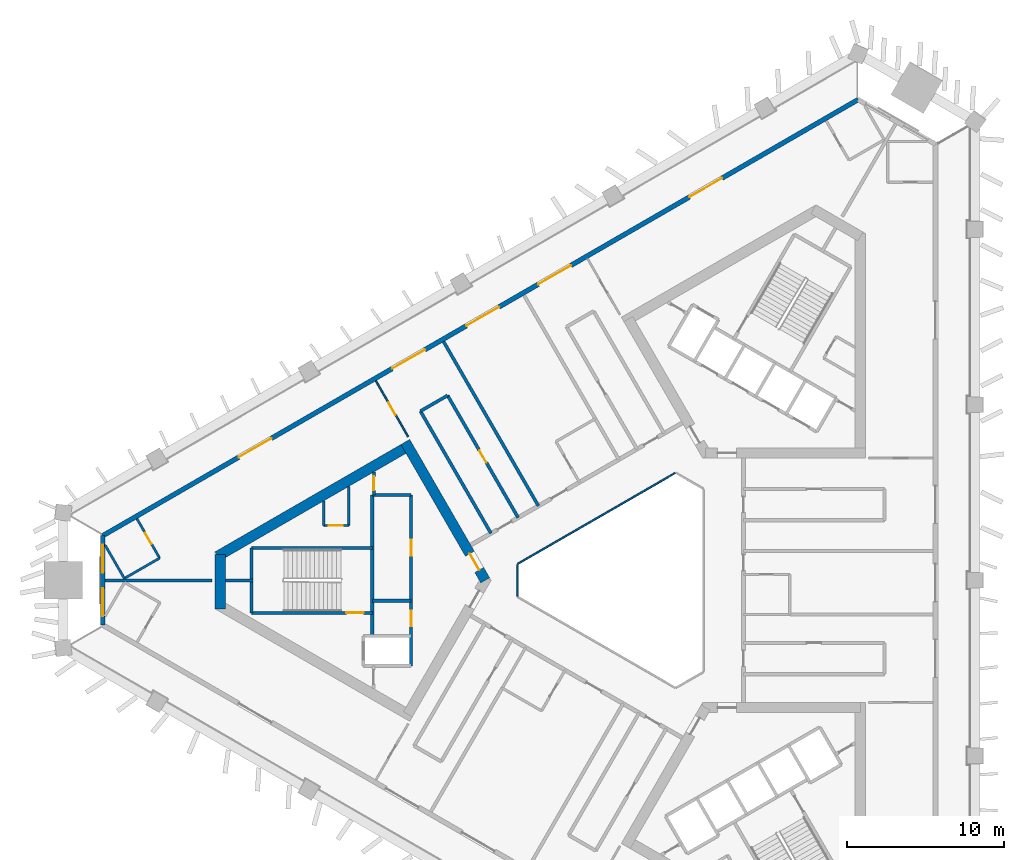
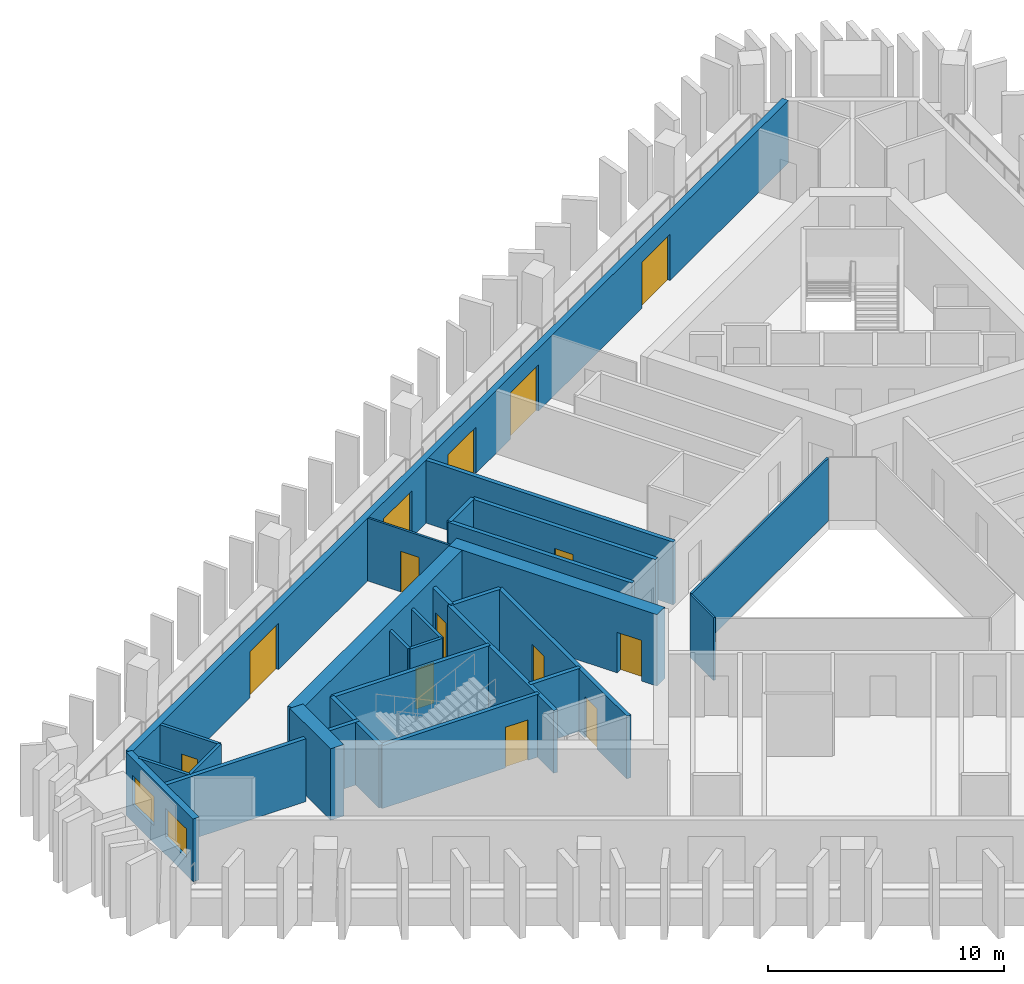
# One storey, part 4 of 10: 28 walls, 14 doors, 2 windows, 16 openings.
"""IFC4 building model written with IfcOpenShell, lengths in metres."""

from ifc_helpers import new_model, si_unit, direction, frame, frame_2d, origin, place, context, subcontext, project, spatial, rectangle, extrude, material, layer, layer_set, type_object, element, fill, save


model = new_model("IFC4")

# Units and contexts
model_context = context("Model", 3, precision=1e-05, world=origin(), true_north=direction((0.0, 1.0)))
body_context = subcontext(model_context, "Body", "Model", "MODEL_VIEW")
ifc_project = project(units=[si_unit("LENGTHUNIT", "METRE"), si_unit("AREAUNIT", "SQUARE_METRE"), si_unit("VOLUMEUNIT", "CUBIC_METRE"), si_unit("PLANEANGLEUNIT", "RADIAN"), si_unit("MASSUNIT", "GRAM", prefix="KILO")], contexts=[model_context])

# Site, building, storey
site_placement = place(None, origin())
site = spatial("IfcSite", under=ifc_project, at=site_placement, CompositionType="ELEMENT")
building_placement = place(site_placement, origin())
building = spatial("IfcBuilding", under=site, at=building_placement, Name="Jabali Bay Hotel Tower and Convention Centre", CompositionType="ELEMENT")
storey_placement = place(building_placement, frame((0.0, 0.0, 136.39990234375)))
storey = spatial("IfcBuildingStorey", under=building, at=storey_placement, Name="L33", CompositionType="ELEMENT", Elevation=136.39990234375)

# Walls
ifc_material_1 = material(Name="Fire-resistant glazing", Category="glass")
ifc_layer_1 = layer(ifc_material_1, 0.10009765625)
ifc_layer_set_1 = layer_set([ifc_layer_1], Name="Fire-resistant glazing")
wall_type_1 = type_object("IfcWallType", Name="Atrium glazed screen 100", PredefinedType="PARTITIONING", material=ifc_layer_set_1)
wall_1_placement = place(storey_placement, frame((77.738037109375, 86.84619140625, 0.0), z_axis=(0.0, 0.0, 1.0), x_axis=(-0.866026658274, -0.499997827154, 0.0)))
element("IfcWall", 1, at=wall_1_placement, inside=storey, type_object=wall_type_1, Name="Atrium screen 3 L33", PredefinedType="PARTITIONING", context=body_context, shape_type="SweptSolid", body=[
    extrude(rectangle(XDim=11.58837890625, YDim=0.10009765625, at=frame_2d((5.794189453125, 0.0))), origin(), (0.0, 0.0, 1.0), 3.25),
])
wall_2_placement = place(storey_placement, frame((67.672119140625, 81.0, 0.0), z_axis=(0.0, 0.0, 1.0), x_axis=(0.0, -1.0, 0.0)))
element("IfcWall", 2, at=wall_2_placement, inside=storey, type_object=wall_type_1, Name="Atrium screen 4 L33", PredefinedType="PARTITIONING", context=body_context, shape_type="SweptSolid", body=[
    extrude(rectangle(XDim=2.0, YDim=0.10009765625, at=frame_2d((1.0, 0.0))), origin(), (0.0, 0.0, 1.0), 3.25),
])
ifc_material_2 = material(Name="Concrete C40", Category="concrete")
ifc_layer_2 = layer(ifc_material_2, 0.199951171875)
ifc_layer_set_2 = layer_set([ifc_layer_2], Name="Concrete C40")
wall_type_2 = type_object("IfcWallType", Name="Core partition wall 200", PredefinedType="PARTITIONING", material=ifc_layer_set_2)
wall_3_placement = place(storey_placement, frame((50.820068359375, 80.0, 0.0), z_axis=(0.0, 0.0, 1.0), x_axis=(-1.0, 0.0, 0.0)))
element("IfcWall", 3, at=wall_3_placement, inside=storey, type_object=wall_type_2, Name="Core wall 0.3 L33", PredefinedType="PARTITIONING", context=body_context, shape_type="SweptSolid", body=[
    extrude(rectangle(XDim=1.773193359375, YDim=0.199951171875, at=frame_2d((0.88671875, 0.0))), origin(), (0.0, 0.0, 1.0), 3.25),
])

# Wall, opening, door
wall_4_placement = place(storey_placement, frame((58.52001953125, 86.916748046875, 0.0), z_axis=(0.0, 0.0, 1.0), x_axis=(0.0, -1.0, 0.0)))
wall_4 = element("IfcWall", 4, at=wall_4_placement, inside=storey, type_object=wall_type_2, Name="Core wall 0.9 L33", PredefinedType="PARTITIONING", context=body_context, shape_type="SweptSolid", body=[
    extrude(rectangle(XDim=1.466796875, YDim=0.199951171875, at=frame_2d((0.7333984375, 0.0))), origin(), (0.0, 0.0, 1.0), 3.25),
])
opening_1_placement = place(wall_4_placement, frame((0.283447265625, 0.0, 0.0)))
opening_1 = element("IfcOpeningElement", 5, at=opening_1_placement, cuts=wall_4, Name="Opening D727", PredefinedType="OPENING", context=body_context, shape_type="SweptSolid", body=[
    extrude(rectangle(XDim=0.89990234375, YDim=2.10009765625, at=frame_2d((0.449951171875, 1.050048828125))), frame((0.0, 0.1103515625, 0.0), z_axis=(0.0, -1.0, 0.0), x_axis=(1.0, 0.0, 0.0)), (0.0, 0.0, 1.0), 0.220947265625),
])
ifc_material_3 = material(Name="Fire-rated steel door", Category="steel")
door_type_1 = type_object("IfcDoorType", Name="Vestibule fire door 900 x 2100", OperationType="NOTDEFINED", PredefinedType="NOTDEFINED", material=ifc_material_3)
door_1_placement = place(opening_1_placement, origin())
door_1 = element("IfcDoor", 6, at=door_1_placement, inside=storey, type_object=door_type_1, Name="Vestibule fire door D727", OperationType="SINGLE_SWING_LEFT", OverallHeight=2.10009765625, OverallWidth=0.89990234375, PredefinedType="NOTDEFINED", context=body_context, shape_type="SweptSolid", body=[
    extrude(rectangle(XDim=0.89990234375, YDim=2.10009765625, at=frame_2d((0.449951171875, 1.050048828125))), frame((0.0, 0.02490234375, 0.0), z_axis=(0.0, -1.0, 0.0), x_axis=(1.0, 0.0, 0.0)), (0.0, 0.0, 1.0), 0.050048828125),
])
fill(opening_1, door_1)

ifc_material_4 = material(Name="Fire-rated board partition")
ifc_layer_3 = layer(ifc_material_4, 0.14990234375)
ifc_layer_set_3 = layer_set([ifc_layer_3], Name="Fire-rated board partition")
wall_type_3 = type_object("IfcWallType", Name="Core room partition 150", PredefinedType="PARTITIONING", material=ifc_layer_set_3)
wall_5_placement = place(storey_placement, frame((56.919921875, 83.5, 0.0), z_axis=(0.0, 0.0, 1.0), x_axis=(-1.0, 0.0, 0.0)))
wall_5 = element("IfcWall", 7, at=wall_5_placement, inside=storey, type_object=wall_type_3, Name="Core wall 0.1 L33", PredefinedType="PARTITIONING", context=body_context, shape_type="SweptSolid", body=[
    extrude(rectangle(XDim=1.599853515625, YDim=0.14990234375, at=frame_2d((0.7998046875, 0.0))), origin(), (0.0, 0.0, 1.0), 3.25),
])
opening_2_placement = place(wall_5_placement, frame((0.387451171875, 0.0, 0.0)))
opening_2 = element("IfcOpeningElement", 8, at=opening_2_placement, cuts=wall_5, Name="Opening D729", PredefinedType="OPENING", context=body_context, shape_type="SweptSolid", body=[
    extrude(rectangle(XDim=0.89990234375, YDim=2.10009765625, at=frame_2d((0.449951171875, 1.050048828125))), frame((0.0, 0.08544921875, 0.0), z_axis=(0.0, -1.0, 0.0), x_axis=(1.0, 0.0, 0.0)), (0.0, 0.0, 1.0), 0.1708984375),
])
door_type_2 = type_object("IfcDoorType", Name="Core room door 900 x 2100", OperationType="NOTDEFINED", PredefinedType="NOTDEFINED", material=ifc_material_3)
door_2_placement = place(opening_2_placement, origin())
door_2 = element("IfcDoor", 9, at=door_2_placement, inside=storey, type_object=door_type_2, Name="Core room door D729", OperationType="SINGLE_SWING_LEFT", OverallHeight=2.10009765625, OverallWidth=0.89990234375, PredefinedType="NOTDEFINED", context=body_context, shape_type="SweptSolid", body=[
    extrude(rectangle(XDim=0.89990234375, YDim=2.10009765625, at=frame_2d((0.449951171875, 1.050048828125))), frame((0.0, 0.02490234375, 0.0), z_axis=(0.0, -1.0, 0.0), x_axis=(1.0, 0.0, 0.0)), (0.0, 0.0, 1.0), 0.050048828125),
])
fill(opening_2, door_2)

# Walls
wall_6_placement = place(storey_placement, frame((56.919921875, 85.992919921875, 0.0), z_axis=(0.0, 0.0, 1.0), x_axis=(0.0, -1.0, 0.0)))
element("IfcWall", 10, at=wall_6_placement, inside=storey, type_object=wall_type_3, Name="Core wall 0.13 L33", PredefinedType="PARTITIONING", context=body_context, shape_type="SweptSolid", body=[
    extrude(rectangle(XDim=2.492919921875, YDim=0.14990234375, at=frame_2d((1.24658203125, 0.0))), origin(), (0.0, 0.0, 1.0), 3.25),
])
wall_7_placement = place(storey_placement, frame((55.320068359375, 85.069091796875, 0.0), z_axis=(0.0, 0.0, 1.0), x_axis=(0.0, -1.0, 0.0)))
element("IfcWall", 11, at=wall_7_placement, inside=storey, type_object=wall_type_3, Name="Core wall 0.14 L33", PredefinedType="PARTITIONING", context=body_context, shape_type="SweptSolid", body=[
    extrude(rectangle(XDim=1.569091796875, YDim=0.14990234375, at=frame_2d((0.78466796875, 0.0))), origin(), (0.0, 0.0, 1.0), 3.25),
])
ifc_layer_4 = layer(ifc_material_2, 0.199951171875)
ifc_layer_set_4 = layer_set([ifc_layer_4], Name="Concrete C40")
wall_type_4 = type_object("IfcWallType", Name="Core stair wall 200", PredefinedType="SOLIDWALL", material=ifc_layer_set_4)
wall_8_placement = place(storey_placement, frame((60.89990234375, 85.449951171875, 0.0), z_axis=(0.0, 0.0, 1.0), x_axis=(-1.0, 0.0, 0.0)))
element("IfcWall", 12, at=wall_8_placement, inside=storey, type_object=wall_type_4, Name="Core wall 0.0 L33", PredefinedType="SOLIDWALL", context=body_context, shape_type="SweptSolid", body=[
    extrude(rectangle(XDim=2.47998046875, YDim=0.199951171875, at=frame_2d((1.239990234375, 0.0))), origin(), (0.0, 0.0, 1.0), 3.25),
])
wall_9_placement = place(storey_placement, frame((58.419921875, 82.074951171875, 0.0), z_axis=(0.0, 0.0, 1.0), x_axis=(-1.0, 0.0, 0.0)))
element("IfcWall", 13, at=wall_9_placement, inside=storey, type_object=wall_type_4, Name="Core wall 0.2 L33", PredefinedType="SOLIDWALL", context=body_context, shape_type="SweptSolid", body=[
    extrude(rectangle(XDim=7.699951171875, YDim=0.199951171875, at=frame_2d((3.85009765625, 0.0))), origin(), (0.0, 0.0, 1.0), 3.25),
])
wall_10_placement = place(storey_placement, frame((60.89990234375, 78.699951171875, 0.0), z_axis=(0.0, 0.0, 1.0), x_axis=(-1.0, 0.0, 0.0)))
element("IfcWall", 14, at=wall_10_placement, inside=storey, type_object=wall_type_4, Name="Core wall 0.4 L33", PredefinedType="SOLIDWALL", context=body_context, shape_type="SweptSolid", body=[
    extrude(rectangle(XDim=2.47998046875, YDim=0.199951171875, at=frame_2d((1.239990234375, 0.0))), origin(), (0.0, 0.0, 1.0), 3.25),
])

# Wall, opening, door
wall_11_placement = place(storey_placement, frame((58.419921875, 77.925048828125, 0.0), z_axis=(0.0, 0.0, 1.0), x_axis=(-1.0, 0.0, 0.0)))
wall_11 = element("IfcWall", 15, at=wall_11_placement, inside=storey, type_object=wall_type_4, Name="Core wall 0.5 L33", PredefinedType="SOLIDWALL", context=body_context, shape_type="SweptSolid", body=[
    extrude(rectangle(XDim=7.699951171875, YDim=0.199951171875, at=frame_2d((3.85009765625, 0.0))), origin(), (0.0, 0.0, 1.0), 3.25),
])
opening_3_placement = place(wall_11_placement, frame((0.550048828125, 0.0, 0.0)))
opening_3 = element("IfcOpeningElement", 16, at=opening_3_placement, cuts=wall_11, Name="Opening D728", PredefinedType="OPENING", context=body_context, shape_type="SweptSolid", body=[
    extrude(rectangle(XDim=1.10009765625, YDim=2.10009765625, at=frame_2d((0.550048828125, 1.050048828125))), frame((0.0, 0.1103515625, 0.0), z_axis=(0.0, -1.0, 0.0), x_axis=(1.0, 0.0, 0.0)), (0.0, 0.0, 1.0), 0.220947265625),
])
door_type_3 = type_object("IfcDoorType", Name="Stair fire door 1100 x 2100", OperationType="NOTDEFINED", PredefinedType="NOTDEFINED", material=ifc_material_3)
door_3_placement = place(opening_3_placement, origin())
door_3 = element("IfcDoor", 17, at=door_3_placement, inside=storey, type_object=door_type_3, Name="Stair fire door D728", OperationType="SINGLE_SWING_RIGHT", OverallHeight=2.10009765625, OverallWidth=1.10009765625, PredefinedType="NOTDEFINED", context=body_context, shape_type="SweptSolid", body=[
    extrude(rectangle(XDim=1.10009765625, YDim=2.10009765625, at=frame_2d((0.550048828125, 1.050048828125))), frame((0.0, 0.02490234375, 0.0), z_axis=(0.0, -1.0, 0.0), x_axis=(1.0, 0.0, 0.0)), (0.0, 0.0, 1.0), 0.050048828125),
])
fill(opening_3, door_3)

# Wall, openings, doors
wall_12_placement = place(storey_placement, frame((60.89990234375, 85.449951171875, 0.0), z_axis=(0.0, 0.0, 1.0), x_axis=(0.0, -1.0, 0.0)))
wall_12 = element("IfcWall", 18, at=wall_12_placement, inside=storey, type_object=wall_type_4, Name="Core wall 0.8 L33", PredefinedType="SOLIDWALL", context=body_context, shape_type="SweptSolid", body=[
    extrude(rectangle(XDim=10.89990234375, YDim=0.199951171875, at=frame_2d((5.449951171875, 0.0))), origin(), (0.0, 0.0, 1.0), 3.25),
])
opening_4_placement = place(wall_12_placement, frame((2.875, 0.0, 0.0)))
opening_4 = element("IfcOpeningElement", 19, at=opening_4_placement, cuts=wall_12, Name="Opening D724", PredefinedType="OPENING", context=body_context, shape_type="SweptSolid", body=[
    extrude(rectangle(XDim=1.0, YDim=2.10009765625, at=frame_2d((0.5, 1.050048828125))), frame((0.0, 0.1103515625, 0.0), z_axis=(0.0, -1.0, 0.0), x_axis=(1.0, 0.0, 0.0)), (0.0, 0.0, 1.0), 0.220947265625),
])
opening_5_placement = place(wall_12_placement, frame((7.375, 0.0, 0.0)))
opening_5 = element("IfcOpeningElement", 20, at=opening_5_placement, cuts=wall_12, Name="Opening D725", PredefinedType="OPENING", context=body_context, shape_type="SweptSolid", body=[
    extrude(rectangle(XDim=1.0, YDim=2.10009765625, at=frame_2d((0.5, 1.050048828125))), frame((0.0, 0.1103515625, 0.0), z_axis=(0.0, -1.0, 0.0), x_axis=(1.0, 0.0, 0.0)), (0.0, 0.0, 1.0), 0.220947265625),
])
door_type_4 = type_object("IfcDoorType", Name="Core room door 1000 x 2100", OperationType="NOTDEFINED", PredefinedType="NOTDEFINED", material=ifc_material_3)
door_4_placement = place(opening_4_placement, origin())
door_4 = element("IfcDoor", 21, at=door_4_placement, inside=storey, type_object=door_type_4, Name="Core room door D724", OperationType="SINGLE_SWING_RIGHT", OverallHeight=2.10009765625, OverallWidth=1.0, PredefinedType="NOTDEFINED", context=body_context, shape_type="SweptSolid", body=[
    extrude(rectangle(XDim=1.0, YDim=2.10009765625, at=frame_2d((0.5, 1.050048828125))), frame((0.0, 0.02490234375, 0.0), z_axis=(0.0, -1.0, 0.0), x_axis=(1.0, 0.0, 0.0)), (0.0, 0.0, 1.0), 0.050048828125),
])
fill(opening_4, door_4)
door_5_placement = place(opening_5_placement, origin())
door_5 = element("IfcDoor", 22, at=door_5_placement, inside=storey, type_object=door_type_4, Name="Core room door D725", OperationType="SINGLE_SWING_RIGHT", OverallHeight=2.10009765625, OverallWidth=1.0, PredefinedType="NOTDEFINED", context=body_context, shape_type="SweptSolid", body=[
    extrude(rectangle(XDim=1.0, YDim=2.10009765625, at=frame_2d((0.5, 1.050048828125))), frame((0.0, 0.02490234375, 0.0), z_axis=(0.0, -1.0, 0.0), x_axis=(1.0, 0.0, 0.0)), (0.0, 0.0, 1.0), 0.050048828125),
])
fill(opening_5, door_5)

# Walls
wall_13_placement = place(storey_placement, frame((58.419921875, 85.449951171875, 0.0), z_axis=(0.0, 0.0, 1.0), x_axis=(0.0, -1.0, 0.0)))
element("IfcWall", 23, at=wall_13_placement, inside=storey, type_object=wall_type_4, Name="Core wall 0.11 L33", PredefinedType="SOLIDWALL", context=body_context, shape_type="SweptSolid", body=[
    extrude(rectangle(XDim=9.0, YDim=0.199951171875, at=frame_2d((4.5, 0.0))), origin(), (0.0, 0.0, 1.0), 3.25),
])
wall_14_placement = place(storey_placement, frame((50.719970703125, 82.074951171875, 0.0), z_axis=(0.0, 0.0, 1.0), x_axis=(0.0, -1.0, 0.0)))
element("IfcWall", 24, at=wall_14_placement, inside=storey, type_object=wall_type_4, Name="Core wall 0.15 L33", PredefinedType="SOLIDWALL", context=body_context, shape_type="SweptSolid", body=[
    extrude(rectangle(XDim=4.14990234375, YDim=0.199951171875, at=frame_2d((2.074951171875, 0.0))), origin(), (0.0, 0.0, 1.0), 3.25),
])

# Wall, opening, door
ifc_material_5 = material(Name="Concrete C60", Category="concrete")
ifc_layer_5 = layer(ifc_material_5, 0.64990234375)
ifc_layer_set_5 = layer_set([ifc_layer_5], Name="Concrete C60")
wall_type_5 = type_object("IfcWallType", Name="Core wall 650", PredefinedType="SHEAR", material=ifc_layer_set_5)
wall_15_placement = place(storey_placement, frame((65.624755859375, 80.0, 0.0), z_axis=(0.0, 0.0, 1.0), x_axis=(-0.49999822179, 0.866026430432, 0.0)))
wall_15 = element("IfcWall", 25, at=wall_15_placement, inside=storey, type_object=wall_type_5, Name="Core wall 1.1 L33", PredefinedType="SHEAR", context=body_context, shape_type="SweptSolid", body=[
    extrude(rectangle(XDim=10.1923828125, YDim=0.64990234375, at=frame_2d((5.09619140625, 0.0))), origin(), (0.0, 0.0, 1.0), 3.7001953125),
])
opening_6_placement = place(wall_15_placement, frame((0.762451171875, 0.0, 0.0)))
opening_6 = element("IfcOpeningElement", 26, at=opening_6_placement, cuts=wall_15, Name="Opening D722", PredefinedType="OPENING", context=body_context, shape_type="SweptSolid", body=[
    extrude(rectangle(XDim=1.199951171875, YDim=2.10009765625, at=frame_2d((0.60009765625, 1.050048828125))), frame((0.0, 0.33544921875, 0.0), z_axis=(0.0, -1.0, 0.0), x_axis=(1.0, 0.0, 0.0)), (0.0, 0.0, 1.0), 0.6708984375),
])
door_type_5 = type_object("IfcDoorType", Name="Corridor end fire door 1200 x 2100", OperationType="NOTDEFINED", PredefinedType="NOTDEFINED", material=ifc_material_3)
door_6_placement = place(opening_6_placement, origin())
door_6 = element("IfcDoor", 27, at=door_6_placement, inside=storey, type_object=door_type_5, Name="Corridor end fire door D722", OperationType="SINGLE_SWING_RIGHT", OverallHeight=2.10009765625, OverallWidth=1.199951171875, PredefinedType="NOTDEFINED", context=body_context, shape_type="SweptSolid", body=[
    extrude(rectangle(XDim=1.199951171875, YDim=2.10009765625, at=frame_2d((0.60009765625, 1.050048828125))), frame((0.0, 0.02490234375, 0.0), z_axis=(0.0, -1.0, 0.0), x_axis=(1.0, 0.0, 0.0)), (0.0, 0.0, 1.0), 0.050048828125),
])
fill(opening_6, door_6)

# Walls
wall_16_placement = place(storey_placement, frame((60.691162109375, 88.54541015625, 0.0), z_axis=(0.0, 0.0, 1.0), x_axis=(-0.866030607649, -0.499990986534, 0.0)))
element("IfcWall", 28, at=wall_16_placement, inside=storey, type_object=wall_type_5, Name="Core wall 1.2 L33", PredefinedType="SHEAR", context=body_context, shape_type="SweptSolid", body=[
    extrude(rectangle(XDim=14.008544921875, YDim=0.64990234375, at=frame_2d((7.00439453125, 0.0))), origin(), (0.0, 0.0, 1.0), 3.7001953125),
])
wall_17_placement = place(storey_placement, frame((48.721923828125, 81.635009765625, 0.0), z_axis=(0.0, 0.0, 1.0), x_axis=(0.0, -1.0, 0.0)))
element("IfcWall", 29, at=wall_17_placement, inside=storey, type_object=wall_type_5, Name="Core wall 1.3 L33", PredefinedType="SHEAR", context=body_context, shape_type="SweptSolid", body=[
    extrude(rectangle(XDim=3.457763671875, YDim=0.64990234375, at=frame_2d((1.72900390625, 0.0))), origin(), (0.0, 0.0, 1.0), 3.7001953125),
])

# Wall, openings, windows
ifc_layer_6 = layer(ifc_material_2, 0.300048828125)
ifc_layer_set_6 = layer_set([ifc_layer_6], Name="Concrete C40")
wall_type_6 = type_object("IfcWallType", Name="External wall 300", PredefinedType="SOLIDWALL", material=ifc_layer_set_6)
wall_18_placement = place(storey_placement, frame((41.227294921875, 77.153076171875, 0.0), z_axis=(0.0, 0.0, 1.0), x_axis=(0.0, 1.0, 0.0)))
wall_18 = element("IfcWall", 30, at=wall_18_placement, inside=storey, type_object=wall_type_6, Name="External wall west chamfer L33", PredefinedType="SOLIDWALL", context=body_context, shape_type="SweptSolid", body=[
    extrude(rectangle(XDim=5.69384765625, YDim=0.300048828125, at=frame_2d((2.846923828125, 0.0))), origin(), (0.0, 0.0, 1.0), 3.25),
])
opening_7_placement = place(wall_18_placement, frame((3.331298828125, 0.0, 0.89990234375)))
opening_7 = element("IfcOpeningElement", 31, at=opening_7_placement, cuts=wall_18, Name="Opening W1", PredefinedType="OPENING", context=body_context, shape_type="SweptSolid", body=[
    extrude(rectangle(XDim=1.800048828125, YDim=1.5, at=frame_2d((0.89990234375, 0.75))), frame((0.0, 0.16064453125, 0.0), z_axis=(0.0, -1.0, 0.0), x_axis=(1.0, 0.0, 0.0)), (0.0, 0.0, 1.0), 0.321044921875),
])
opening_8_placement = place(wall_18_placement, frame((0.546142578125, 0.0, 0.89990234375)))
opening_8 = element("IfcOpeningElement", 32, at=opening_8_placement, cuts=wall_18, Name="Opening W1", PredefinedType="OPENING", context=body_context, shape_type="SweptSolid", body=[
    extrude(rectangle(XDim=1.800048828125, YDim=1.5, at=frame_2d((0.89990234375, 0.75))), frame((0.0, 0.16064453125, 0.0), z_axis=(0.0, -1.0, 0.0), x_axis=(1.0, 0.0, 0.0)), (0.0, 0.0, 1.0), 0.321044921875),
])
ifc_material_6 = material(Name="Glass", Category="glass")
window_type = type_object("IfcWindowType", Name="Window 1800 x 1500", PartitioningType="SINGLE_PANEL", PredefinedType="WINDOW", material=ifc_material_6)
window_1_placement = place(opening_7_placement, origin())
window_1 = element("IfcWindow", 33, at=window_1_placement, inside=storey, type_object=window_type, Name="Window 3309", OverallHeight=1.5, OverallWidth=1.800048828125, PartitioningType="SINGLE_PANEL", PredefinedType="WINDOW", context=body_context, shape_type="SweptSolid", body=[
    extrude(rectangle(XDim=1.800048828125, YDim=1.5, at=frame_2d((0.89990234375, 0.75))), frame((0.0, 0.030029296875, 0.0), z_axis=(0.0, -1.0, 0.0), x_axis=(1.0, 0.0, 0.0)), (0.0, 0.0, 1.0), 0.06005859375),
])
fill(opening_7, window_1)
window_2_placement = place(opening_8_placement, origin())
window_2 = element("IfcWindow", 34, at=window_2_placement, inside=storey, type_object=window_type, Name="Window 3311", OverallHeight=1.5, OverallWidth=1.800048828125, PartitioningType="SINGLE_PANEL", PredefinedType="WINDOW", context=body_context, shape_type="SweptSolid", body=[
    extrude(rectangle(XDim=1.800048828125, YDim=1.5, at=frame_2d((0.89990234375, 0.75))), frame((0.0, 0.030029296875, 0.0), z_axis=(0.0, -1.0, 0.0), x_axis=(1.0, 0.0, 0.0)), (0.0, 0.0, 1.0), 0.06005859375),
])
fill(opening_8, window_2)

# Wall, openings, doors
wall_19_placement = place(storey_placement, frame((41.227294921875, 82.846923828125, 0.0), z_axis=(0.0, 0.0, 1.0), x_axis=(0.866024492862, 0.50000157776, 0.0)))
wall_19 = element("IfcWall", 35, at=wall_19_placement, inside=storey, type_object=wall_type_6, Name="External wall north-west face L33", PredefinedType="SOLIDWALL", context=body_context, shape_type="SweptSolid", body=[
    extrude(rectangle(XDim=55.649169921875, YDim=0.300048828125, at=frame_2d((27.82470703125, 0.0))), origin(), (0.0, 0.0, 1.0), 3.25),
])
opening_9_placement = place(wall_19_placement, frame((26.780517578125, 0.0, 0.0)))
opening_9 = element("IfcOpeningElement", 36, at=opening_9_placement, cuts=wall_19, Name="Opening SD1", PredefinedType="OPENING", context=body_context, shape_type="SweptSolid", body=[
    extrude(rectangle(XDim=2.39990234375, YDim=2.39990234375, at=frame_2d((1.199951171875, 1.199951171875))), frame((0.0, 0.16064453125, 0.0), z_axis=(0.0, -1.0, 0.0), x_axis=(1.0, 0.0, 0.0)), (0.0, 0.0, 1.0), 0.321044921875),
])
opening_10_placement = place(wall_19_placement, frame((32.08056640625, 0.0, 0.0)))
opening_10 = element("IfcOpeningElement", 37, at=opening_10_placement, cuts=wall_19, Name="Opening SD1", PredefinedType="OPENING", context=body_context, shape_type="SweptSolid", body=[
    extrude(rectangle(XDim=2.39990234375, YDim=2.39990234375, at=frame_2d((1.199951171875, 1.199951171875))), frame((0.0, 0.16064453125, 0.0), z_axis=(0.0, -1.0, 0.0), x_axis=(1.0, 0.0, 0.0)), (0.0, 0.0, 1.0), 0.321044921875),
])
opening_11_placement = place(wall_19_placement, frame((43.2197265625, 0.0, 0.0)))
opening_11 = element("IfcOpeningElement", 38, at=opening_11_placement, cuts=wall_19, Name="Opening SD1", PredefinedType="OPENING", context=body_context, shape_type="SweptSolid", body=[
    extrude(rectangle(XDim=2.39990234375, YDim=2.39990234375, at=frame_2d((1.199951171875, 1.199951171875))), frame((0.0, 0.16064453125, 0.0), z_axis=(0.0, -1.0, 0.0), x_axis=(1.0, 0.0, 0.0)), (0.0, 0.0, 1.0), 0.321044921875),
])
opening_12_placement = place(wall_19_placement, frame((21.324462890625, 0.0, 0.0)))
opening_12 = element("IfcOpeningElement", 39, at=opening_12_placement, cuts=wall_19, Name="Opening SD1", PredefinedType="OPENING", context=body_context, shape_type="SweptSolid", body=[
    extrude(rectangle(XDim=2.39990234375, YDim=2.39990234375, at=frame_2d((1.199951171875, 1.199951171875))), frame((0.0, 0.16064453125, 0.0), z_axis=(0.0, -1.0, 0.0), x_axis=(1.0, 0.0, 0.0)), (0.0, 0.0, 1.0), 0.321044921875),
])
opening_13_placement = place(wall_19_placement, frame((10.021240234375, 0.0, 0.0)))
opening_13 = element("IfcOpeningElement", 40, at=opening_13_placement, cuts=wall_19, Name="Opening SD1", PredefinedType="OPENING", context=body_context, shape_type="SweptSolid", body=[
    extrude(rectangle(XDim=2.39990234375, YDim=2.39990234375, at=frame_2d((1.199951171875, 1.199951171875))), frame((0.0, 0.16064453125, 0.0), z_axis=(0.0, -1.0, 0.0), x_axis=(1.0, 0.0, 0.0)), (0.0, 0.0, 1.0), 0.321044921875),
])
door_type_6 = type_object("IfcDoorType", Name="Loggia sliding door 2400 x 2400", OperationType="NOTDEFINED", PredefinedType="NOTDEFINED", material=ifc_material_6)
door_7_placement = place(opening_9_placement, origin())
door_7 = element("IfcDoor", 41, at=door_7_placement, inside=storey, type_object=door_type_6, Name="Loggia sliding door 3308", OperationType="SLIDING_TO_LEFT", OverallHeight=2.39990234375, OverallWidth=2.39990234375, PredefinedType="NOTDEFINED", context=body_context, shape_type="SweptSolid", body=[
    extrude(rectangle(XDim=2.39990234375, YDim=2.39990234375, at=frame_2d((1.199951171875, 1.199951171875))), frame((0.0, 0.02490234375, 0.0), z_axis=(0.0, -1.0, 0.0), x_axis=(1.0, 0.0, 0.0)), (0.0, 0.0, 1.0), 0.050048828125),
])
fill(opening_9, door_7)
door_8_placement = place(opening_10_placement, origin())
door_8 = element("IfcDoor", 42, at=door_8_placement, inside=storey, type_object=door_type_6, Name="Loggia sliding door 3306", OperationType="SLIDING_TO_RIGHT", OverallHeight=2.39990234375, OverallWidth=2.39990234375, PredefinedType="NOTDEFINED", context=body_context, shape_type="SweptSolid", body=[
    extrude(rectangle(XDim=2.39990234375, YDim=2.39990234375, at=frame_2d((1.199951171875, 1.199951171875))), frame((0.0, 0.02490234375, 0.0), z_axis=(0.0, -1.0, 0.0), x_axis=(1.0, 0.0, 0.0)), (0.0, 0.0, 1.0), 0.050048828125),
])
fill(opening_10, door_8)
door_9_placement = place(opening_11_placement, origin())
door_9 = element("IfcDoor", 43, at=door_9_placement, inside=storey, type_object=door_type_6, Name="Loggia sliding door 3306", OperationType="SLIDING_TO_LEFT", OverallHeight=2.39990234375, OverallWidth=2.39990234375, PredefinedType="NOTDEFINED", context=body_context, shape_type="SweptSolid", body=[
    extrude(rectangle(XDim=2.39990234375, YDim=2.39990234375, at=frame_2d((1.199951171875, 1.199951171875))), frame((0.0, 0.02490234375, 0.0), z_axis=(0.0, -1.0, 0.0), x_axis=(1.0, 0.0, 0.0)), (0.0, 0.0, 1.0), 0.050048828125),
])
fill(opening_11, door_9)
door_10_placement = place(opening_12_placement, origin())
door_10 = element("IfcDoor", 44, at=door_10_placement, inside=storey, type_object=door_type_6, Name="Loggia sliding door 3309", OperationType="SLIDING_TO_RIGHT", OverallHeight=2.39990234375, OverallWidth=2.39990234375, PredefinedType="NOTDEFINED", context=body_context, shape_type="SweptSolid", body=[
    extrude(rectangle(XDim=2.39990234375, YDim=2.39990234375, at=frame_2d((1.199951171875, 1.199951171875))), frame((0.0, 0.02490234375, 0.0), z_axis=(0.0, -1.0, 0.0), x_axis=(1.0, 0.0, 0.0)), (0.0, 0.0, 1.0), 0.050048828125),
])
fill(opening_12, door_10)
door_11_placement = place(opening_13_placement, origin())
door_11 = element("IfcDoor", 45, at=door_11_placement, inside=storey, type_object=door_type_6, Name="Loggia sliding door 3309", OperationType="SLIDING_TO_LEFT", OverallHeight=2.39990234375, OverallWidth=2.39990234375, PredefinedType="NOTDEFINED", context=body_context, shape_type="SweptSolid", body=[
    extrude(rectangle(XDim=2.39990234375, YDim=2.39990234375, at=frame_2d((1.199951171875, 1.199951171875))), frame((0.0, 0.02490234375, 0.0), z_axis=(0.0, -1.0, 0.0), x_axis=(1.0, 0.0, 0.0)), (0.0, 0.0, 1.0), 0.050048828125),
])
fill(opening_13, door_11)

# Wall, opening, door
ifc_material_7 = material(Name="Plasterboard on steel stud", Category="steel")
ifc_layer_7 = layer(ifc_material_7, 0.10009765625)
ifc_layer_set_7 = layer_set([ifc_layer_7], Name="Plasterboard on steel stud")
wall_type_7 = type_object("IfcWallType", Name="Partition 100 unit", PredefinedType="PARTITIONING", material=ifc_layer_set_7)
wall_20_placement = place(storey_placement, frame((58.6484375, 92.733154296875, 0.0), z_axis=(0.0, 0.0, 1.0), x_axis=(0.499997465321, -0.866026867177, 0.0)))
wall_20 = element("IfcWall", 46, at=wall_20_placement, inside=storey, type_object=wall_type_7, Name="Partition P02 L33 033", PredefinedType="PARTITIONING", context=body_context, shape_type="SweptSolid", body=[
    extrude(rectangle(XDim=4.1240234375, YDim=0.10009765625, at=frame_2d((2.06201171875, 0.0))), origin(), (0.0, 0.0, 1.0), 3.25),
])
opening_14_placement = place(wall_20_placement, frame((1.612060546875, 0.0, 0.0)))
opening_14 = element("IfcOpeningElement", 47, at=opening_14_placement, cuts=wall_20, Name="Opening 3318", PredefinedType="OPENING", context=body_context, shape_type="SweptSolid", body=[
    extrude(rectangle(XDim=0.89990234375, YDim=2.10009765625, at=frame_2d((0.449951171875, 1.050048828125))), frame((0.0, 0.060546875, 0.0), z_axis=(0.0, -1.0, 0.0), x_axis=(1.0, 0.0, 0.0)), (0.0, 0.0, 1.0), 0.12109375),
])
ifc_material_8 = material(Name="Timber", Category="wood")
door_type_7 = type_object("IfcDoorType", Name="Internal door 900 x 2100", OperationType="NOTDEFINED", PredefinedType="NOTDEFINED", material=ifc_material_8)
door_12_placement = place(opening_14_placement, origin())
door_12 = element("IfcDoor", 48, at=door_12_placement, inside=storey, type_object=door_type_7, Name="Door 3318", OperationType="SINGLE_SWING_RIGHT", OverallHeight=2.10009765625, OverallWidth=0.89990234375, PredefinedType="NOTDEFINED", context=body_context, shape_type="SweptSolid", body=[
    extrude(rectangle(XDim=0.89990234375, YDim=2.10009765625, at=frame_2d((0.449951171875, 1.050048828125))), frame((0.0, 0.02490234375, 0.0), z_axis=(0.0, -1.0, 0.0), x_axis=(1.0, 0.0, 0.0)), (0.0, 0.0, 1.0), 0.050048828125),
])
fill(opening_14, door_12)

ifc_layer_8 = layer(ifc_material_7, 0.14990234375)
ifc_layer_set_8 = layer_set([ifc_layer_8], Name="Plasterboard on steel stud")
wall_type_8 = type_object("IfcWallType", Name="Partition 150 wet", PredefinedType="PARTITIONING", material=ifc_layer_set_8)
wall_21_placement = place(storey_placement, frame((43.4072265625, 83.931884765625, 0.0), z_axis=(0.0, 0.0, 1.0), x_axis=(0.499987231761, -0.866032775405, 0.0)))
wall_21 = element("IfcWall", 49, at=wall_21_placement, inside=storey, type_object=wall_type_8, Name="Partition P03 L33 037", PredefinedType="PARTITIONING", context=body_context, shape_type="SweptSolid", body=[
    extrude(rectangle(XDim=2.89990234375, YDim=0.14990234375, at=frame_2d((1.449951171875, 0.0))), origin(), (0.0, 0.0, 1.0), 3.25),
])
opening_15_placement = place(wall_21_placement, frame((1.050048828125, 0.0, 0.0)))
opening_15 = element("IfcOpeningElement", 50, at=opening_15_placement, cuts=wall_21, Name="Opening 3319", PredefinedType="OPENING", context=body_context, shape_type="SweptSolid", body=[
    extrude(rectangle(XDim=0.800048828125, YDim=2.10009765625, at=frame_2d((0.39990234375, 1.050048828125))), frame((0.0, 0.08544921875, 0.0), z_axis=(0.0, -1.0, 0.0), x_axis=(1.0, 0.0, 0.0)), (0.0, 0.0, 1.0), 0.1708984375),
])
door_type_8 = type_object("IfcDoorType", Name="En-suite door 800 x 2100", OperationType="NOTDEFINED", PredefinedType="NOTDEFINED", material=ifc_material_8)
door_13_placement = place(opening_15_placement, origin())
door_13 = element("IfcDoor", 51, at=door_13_placement, inside=storey, type_object=door_type_8, Name="Door 3319", OperationType="SINGLE_SWING_RIGHT", OverallHeight=2.10009765625, OverallWidth=0.800048828125, PredefinedType="NOTDEFINED", context=body_context, shape_type="SweptSolid", body=[
    extrude(rectangle(XDim=0.800048828125, YDim=2.10009765625, at=frame_2d((0.39990234375, 1.050048828125))), frame((0.0, 0.02490234375, 0.0), z_axis=(0.0, -1.0, 0.0), x_axis=(1.0, 0.0, 0.0)), (0.0, 0.0, 1.0), 0.050048828125),
])
fill(opening_15, door_13)

# Walls
wall_22_placement = place(storey_placement, frame((44.857177734375, 81.42041015625, 0.0), z_axis=(0.0, 0.0, 1.0), x_axis=(-0.866021400173, -0.500006934395, 0.0)))
element("IfcWall", 52, at=wall_22_placement, inside=storey, type_object=wall_type_8, Name="Partition P03 L33 038", PredefinedType="PARTITIONING", context=body_context, shape_type="SweptSolid", body=[
    extrude(rectangle(XDim=2.60009765625, YDim=0.14990234375, at=frame_2d((1.300048828125, 0.0))), origin(), (0.0, 0.0, 1.0), 3.25),
])
wall_23_placement = place(storey_placement, frame((42.60546875, 80.120361328125, 0.0), z_axis=(0.0, 0.0, 1.0), x_axis=(-0.499994660107, 0.866028486751, 0.0)))
element("IfcWall", 53, at=wall_23_placement, inside=storey, type_object=wall_type_8, Name="Partition P03 L33 039", PredefinedType="PARTITIONING", context=body_context, shape_type="SweptSolid", body=[
    extrude(rectangle(XDim=2.45849609375, YDim=0.14990234375, at=frame_2d((1.229248046875, 0.0))), origin(), (0.0, 0.0, 1.0), 3.25),
])
ifc_layer_9 = layer(ifc_material_7, 0.199951171875)
ifc_layer_set_9 = layer_set([ifc_layer_9], Name="Plasterboard on steel stud")
wall_type_9 = type_object("IfcWallType", Name="Partition 200 party", PredefinedType="PARTITIONING", material=ifc_layer_set_9)
wall_24_placement = place(storey_placement, frame((62.968505859375, 95.227294921875, 0.0), z_axis=(0.0, 0.0, 1.0), x_axis=(0.500002999215, -0.86602367218, 0.0)))
element("IfcWall", 54, at=wall_24_placement, inside=storey, type_object=wall_type_9, Name="Partition P01 L33 032", PredefinedType="PARTITIONING", context=body_context, shape_type="SweptSolid", body=[
    extrude(rectangle(XDim=12.10302734375, YDim=0.199951171875, at=frame_2d((6.051513671875, 0.0))), origin(), (0.0, 0.0, 1.0), 3.25),
])
wall_25_placement = place(storey_placement, frame((65.993896484375, 82.998779296875, 0.0), z_axis=(0.0, 0.0, 1.0), x_axis=(-0.5000018851, 0.866024315419, 0.0)))
element("IfcWall", 55, at=wall_25_placement, inside=storey, type_object=wall_type_9, Name="Partition P01 L33 034", PredefinedType="PARTITIONING", context=body_context, shape_type="SweptSolid", body=[
    extrude(rectangle(XDim=9.0, YDim=0.199951171875, at=frame_2d((4.5, 0.0))), origin(), (0.0, 0.0, 1.0), 3.25),
])
wall_26_placement = place(storey_placement, frame((61.493896484375, 90.79296875, 0.0), z_axis=(0.0, 0.0, 1.0), x_axis=(0.866041268327, 0.499972520799, 0.0)))
element("IfcWall", 56, at=wall_26_placement, inside=storey, type_object=wall_type_9, Name="Partition P01 L33 035", PredefinedType="PARTITIONING", context=body_context, shape_type="SweptSolid", body=[
    extrude(rectangle(XDim=2.0, YDim=0.199951171875, at=frame_2d((1.0, 0.0))), origin(), (0.0, 0.0, 1.0), 3.25),
])

# Wall, opening, door
wall_27_placement = place(storey_placement, frame((63.22607421875, 91.79296875, 0.0), z_axis=(0.0, 0.0, 1.0), x_axis=(0.5000018851, -0.866024315419, 0.0)))
wall_27 = element("IfcWall", 57, at=wall_27_placement, inside=storey, type_object=wall_type_9, Name="Partition P01 L33 036", PredefinedType="PARTITIONING", context=body_context, shape_type="SweptSolid", body=[
    extrude(rectangle(XDim=9.0, YDim=0.199951171875, at=frame_2d((4.5, 0.0))), origin(), (0.0, 0.0, 1.0), 3.25),
])
opening_16_placement = place(wall_27_placement, frame((4.050048828125, 0.0, 0.0)))
opening_16 = element("IfcOpeningElement", 58, at=opening_16_placement, cuts=wall_27, Name="Opening 3320", PredefinedType="OPENING", context=body_context, shape_type="SweptSolid", body=[
    extrude(rectangle(XDim=0.89990234375, YDim=2.10009765625, at=frame_2d((0.449951171875, 1.050048828125))), frame((0.0, 0.1103515625, 0.0), z_axis=(0.0, -1.0, 0.0), x_axis=(1.0, 0.0, 0.0)), (0.0, 0.0, 1.0), 0.220947265625),
])
door_14_placement = place(opening_16_placement, origin())
door_14 = element("IfcDoor", 59, at=door_14_placement, inside=storey, type_object=door_type_7, Name="Door 3320", OperationType="SINGLE_SWING_LEFT", OverallHeight=2.10009765625, OverallWidth=0.89990234375, PredefinedType="NOTDEFINED", context=body_context, shape_type="SweptSolid", body=[
    extrude(rectangle(XDim=0.89990234375, YDim=2.10009765625, at=frame_2d((0.449951171875, 1.050048828125))), frame((0.0, 0.02490234375, 0.0), z_axis=(0.0, -1.0, 0.0), x_axis=(1.0, 0.0, 0.0)), (0.0, 0.0, 1.0), 0.050048828125),
])
fill(opening_16, door_14)

# Wall
wall_28_placement = place(storey_placement, frame((41.376220703125, 80.0, 0.0), z_axis=(0.0, 0.0, 1.0), x_axis=(1.0, 0.0, 0.0)))
element("IfcWall", 60, at=wall_28_placement, inside=storey, type_object=wall_type_9, Name="Partition P01 L33 040", PredefinedType="PARTITIONING", context=body_context, shape_type="SweptSolid", body=[
    extrude(rectangle(XDim=6.82177734375, YDim=0.199951171875, at=frame_2d((3.410888671875, 0.0))), origin(), (0.0, 0.0, 1.0), 3.25),
])

save(model, "model.ifc")
